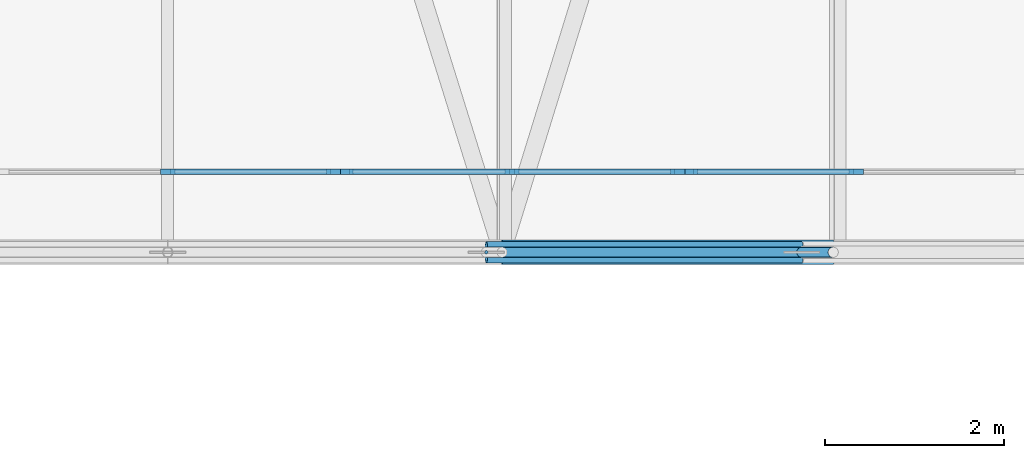
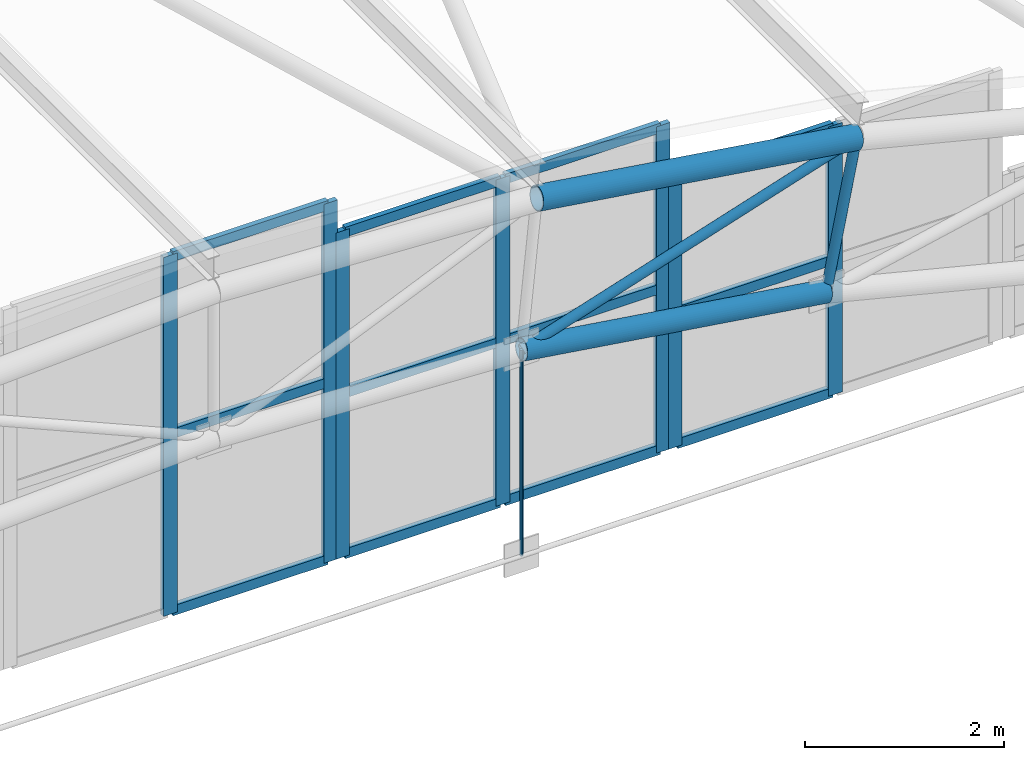
# One storey, part 146 of 321: 24 members, 3 elements without a shape of their own.
"""IFC4 building model written with IfcOpenShell, lengths in metres."""

import ifcopenshell
import ifcopenshell.guid

model = None  # the IFC model being written
_history = None  # IfcOwnerHistory: only IFC2X3 demands one
_inside = {}  # id of a spatial element -> (the spatial element, [elements in it])
_under = {}  # id of a project, library or spatial element -> (it, [spatial elements below it])
_declared = {}  # id of a project -> (the project, [libraries it declares])
_typed = {}  # id of a type object -> (the type object, [elements of that type])
_made_of = {}  # id of a material, layer set ... -> (it, [elements and type objects made of it])


def new_model(schema):
    """Start an empty IFC model of exactly this schema.

    Asked for "IFC4X3", IfcOpenShell would pick the latest addendum, in which some entities
    have other attributes; the version numbers below select the first issue.
    IFC2X3 requires an IfcOwnerHistory on every rooted entity: one is made here for all.
    """
    global model, _history
    if schema == "IFC4X3":
        model = ifcopenshell.file(schema_version=(4, 3, 0, 0))
    else:
        model = ifcopenshell.file(schema=schema)
    _inside.clear()
    _under.clear()
    _declared.clear()
    _typed.clear()
    _made_of.clear()
    _history = None
    if model.schema == "IFC2X3":
        org = make("IfcOrganization", Name="unknown")
        user = make(
            "IfcPersonAndOrganization",
            ThePerson=make("IfcPerson", FamilyName="unknown"),
            TheOrganization=org,
        )
        app = make(
            "IfcApplication",
            ApplicationDeveloper=org,
            Version="unknown",
            ApplicationFullName="unknown",
            ApplicationIdentifier="unknown",
        )
        _history = make(
            "IfcOwnerHistory",
            OwningUser=user,
            OwningApplication=app,
            ChangeAction="ADDED",
            CreationDate=0,
        )
    return model


def make(cls, **values):
    """One entity of the class cls with the attributes given. An attribute that is None is left unset."""
    return model.create_entity(
        cls, **{name: value for name, value in values.items() if value is not None}
    )


def rooted(cls, **values):
    """An entity with a GlobalId (a new one), such as an element, a storey or a relation."""
    return make(cls, GlobalId=ifcopenshell.guid.new(), OwnerHistory=_history, **values)


def si_unit(unit_type, name, prefix=None):
    """IfcSIUnit, for example si_unit("LENGTHUNIT", "METRE", prefix="MILLI")."""
    return make("IfcSIUnit", UnitType=unit_type, Prefix=prefix, Name=name)


def assignment(units):
    """IfcUnitAssignment: the units of a project."""
    return None if units is None else make("IfcUnitAssignment", Units=units)


def point(xyz):
    """IfcCartesianPoint."""
    return None if xyz is None else make("IfcCartesianPoint", Coordinates=xyz)


def direction(xyz):
    """IfcDirection."""
    return None if xyz is None else make("IfcDirection", DirectionRatios=xyz)


def frame(location, z_axis=None, x_axis=None):
    """IfcAxis2Placement3D, a coordinate frame: its origin and axes. An axis left out is left unset."""
    return make(
        "IfcAxis2Placement3D",
        Location=point(location),
        Axis=direction(z_axis),
        RefDirection=direction(x_axis),
    )


def frame_2d(location, x_axis=None):
    """IfcAxis2Placement2D, a coordinate frame in the plane: its origin and x axis."""
    return make(
        "IfcAxis2Placement2D", Location=point(location), RefDirection=direction(x_axis)
    )


def origin():
    """The frame at (0, 0, 0) with its axes left unset."""
    return frame((0.0, 0.0, 0.0))


def origin_2d():
    """The frame at (0, 0) in the plane with its x axis left unset."""
    return frame_2d((0.0, 0.0))


def place(relative_to, where):
    """IfcLocalPlacement: puts the frame where relative to a parent placement (None: the world)."""
    return make(
        "IfcLocalPlacement", PlacementRelTo=relative_to, RelativePlacement=where
    )


def context(
    kind, dimensions, precision=None, world=None, true_north=None, identifier=None
):
    """IfcGeometricRepresentationContext, for example the 3D "Model" context."""
    return make(
        "IfcGeometricRepresentationContext",
        ContextIdentifier=identifier,
        ContextType=kind,
        CoordinateSpaceDimension=dimensions,
        Precision=precision,
        WorldCoordinateSystem=world,
        TrueNorth=true_north,
    )


def subcontext(parent, identifier, kind, view, scale=None):
    """IfcGeometricRepresentationSubContext, for example "Body" below "Model"."""
    return make(
        "IfcGeometricRepresentationSubContext",
        ContextIdentifier=identifier,
        ContextType=kind,
        ParentContext=parent,
        TargetScale=scale,
        TargetView=view,
    )


def project(units=None, contexts=None):
    """IfcProject with its units and contexts."""
    return rooted(
        "IfcProject",
        Name="project",
        RepresentationContexts=contexts,
        UnitsInContext=assignment(units),
    )


def spatial(cls, under=None, at=None, **own):
    """A site, building, storey or space (cls), placed at a placement, below another one or the project."""
    s = rooted(cls, ObjectPlacement=at, **own)
    if under is not None:
        _under.setdefault(under.id(), (under, []))[1].append(s)
    return s


def profile(cls, at=None, kind="AREA", **sizes):
    """A parametric profile (cls). Its sizes go by their IFC names, for example OverallWidth=200.0."""
    return make(cls, ProfileType=kind, Position=at, **sizes)


def rectangle(**sizes):
    """IfcRectangleProfileDef."""
    return profile("IfcRectangleProfileDef", **sizes)


def circle(**sizes):
    """IfcCircleProfileDef."""
    return profile("IfcCircleProfileDef", **sizes)


def hollow_circle(**sizes):
    """IfcCircleHollowProfileDef."""
    return profile("IfcCircleHollowProfileDef", **sizes)


def extrude(swept, where, along, depth):
    """IfcExtrudedAreaSolid: the profile swept, set in the frame where, extruded along a direction by depth."""
    return make(
        "IfcExtrudedAreaSolid",
        SweptArea=swept,
        Position=where,
        ExtrudedDirection=direction(along),
        Depth=depth,
    )


def shape(context_of_items, identifier, shape_type, items):
    """IfcShapeRepresentation: the items that make up one representation, for example the "Body"."""
    return make(
        "IfcShapeRepresentation",
        ContextOfItems=context_of_items,
        RepresentationIdentifier=identifier,
        RepresentationType=shape_type,
        Items=items,
    )


def material(Name=None, Category=None):
    """IfcMaterial."""
    return make("IfcMaterial", Name=Name, Category=Category)


def layer(
    of_material, thickness, ventilated=None, Name=None, Category=None, Priority=None
):
    """IfcMaterialLayer: one layer of a wall or slab, of a material (None: an air gap)."""
    return make(
        "IfcMaterialLayer",
        Material=of_material,
        LayerThickness=thickness,
        IsVentilated=ventilated,
        Name=Name,
        Category=Category,
        Priority=Priority,
    )


def layer_set(layers, Name=None):
    """IfcMaterialLayerSet."""
    return make("IfcMaterialLayerSet", MaterialLayers=layers, LayerSetName=Name)


def material_profile(
    of_material, cross_section, Name=None, Category=None, Priority=None
):
    """IfcMaterialProfile: a cross section and its material."""
    return make(
        "IfcMaterialProfile",
        Name=Name,
        Material=of_material,
        Profile=cross_section,
        Priority=Priority,
        Category=Category,
    )


def profile_set(profiles, Name=None, composite=None):
    """IfcMaterialProfileSet."""
    return make(
        "IfcMaterialProfileSet",
        Name=Name,
        MaterialProfiles=profiles,
        CompositeProfile=composite,
    )


def made_of(thing, what):
    """Note that an element or type object is made of a material, layer set ...; save() writes the relation."""
    if what is not None:
        _made_of.setdefault(what.id(), (what, []))[1].append(thing)
    return thing


def type_object(cls, material=None, **own):
    """A type object (cls), such as IfcWallType, which elements share."""
    return made_of(rooted(cls, **own), material)


def element(
    cls,
    number,
    at=None,
    inside=None,
    cuts=None,
    type_object=None,
    material=None,
    context=None,
    identifier="Body",
    shape_type=None,
    held_by="IfcProductDefinitionShape",
    body=None,
    shapes=None,
    **own,
):
    """One element of the class cls, such as IfcWall. Its Tag is "e" and its number.

    at: its placement. inside: the storey or other place that contains it. cuts: it is an
    opening in that element (IfcRelVoidsElement). A single representation is given by context,
    identifier, shape_type and body (its items); several are given by shapes. held_by: the class
    of the entity that holds the representations. save() writes the other relations.
    """
    e = rooted(cls, Tag="e%d" % number, ObjectPlacement=at, **own)
    if body is not None:
        shapes = [shape(context, identifier, shape_type, body)]
    if shapes is not None:
        e.Representation = make(held_by, Representations=shapes)
    if inside is not None:
        _inside.setdefault(inside.id(), (inside, []))[1].append(e)
    if cuts is not None:
        rooted(
            "IfcRelVoidsElement", RelatingBuildingElement=cuts, RelatedOpeningElement=e
        )
    if type_object is not None:
        _typed.setdefault(type_object.id(), (type_object, []))[1].append(e)
    return made_of(e, material)


def aggregate(whole, parts):
    """IfcRelAggregates: a whole, such as a stair, and the parts it consists of."""
    return rooted("IfcRelAggregates", RelatingObject=whole, RelatedObjects=parts)


def save(model, path):
    """Write the relations noted so far, then the file.

    IfcRelAggregates (storeys below a building ...), IfcRelContainedInSpatialStructure (elements
    in a storey), IfcRelDefinesByType, IfcRelAssociatesMaterial and IfcRelDeclares: one each for
    every whole, place, type object, material and project.
    """
    for whole, parts in _under.values():
        aggregate(whole, parts)
    for where, things in _inside.values():
        rooted(
            "IfcRelContainedInSpatialStructure",
            RelatedElements=things,
            RelatingStructure=where,
        )
    for kind, things in _typed.values():
        rooted("IfcRelDefinesByType", RelatedObjects=things, RelatingType=kind)
    for what, things in _made_of.values():
        rooted("IfcRelAssociatesMaterial", RelatedObjects=things, RelatingMaterial=what)
    for by, libraries in _declared.values():
        rooted("IfcRelDeclares", RelatingContext=by, RelatedDefinitions=libraries)
    model.write(path)


model = new_model("IFC4")

# Units and contexts
model_context = context("Model", 3, precision=1e-05, world=origin(), true_north=direction((0.0, 1.0)))
body_context = subcontext(model_context, "Body", "Model", "MODEL_VIEW")
ifc_project = project(units=[si_unit("LENGTHUNIT", "METRE"), si_unit("AREAUNIT", "SQUARE_METRE"), si_unit("VOLUMEUNIT", "CUBIC_METRE"), si_unit("PLANEANGLEUNIT", "RADIAN"), si_unit("MASSUNIT", "GRAM", prefix="KILO")], contexts=[model_context])

# Site, building, storey
site_placement = place(None, origin())
site = spatial("IfcSite", under=ifc_project, at=site_placement, CompositionType="ELEMENT")
building_placement = place(site_placement, origin())
building = spatial("IfcBuilding", under=site, at=building_placement, Name="Ravi Spectrum Wholesale Market", CompositionType="ELEMENT")
storey_placement = place(building_placement, frame((0.0, 0.0, 10.800048828125)))
storey = spatial("IfcBuildingStorey", under=building, at=storey_placement, Name="L02", CompositionType="ELEMENT", Elevation=10.800048828125)

# Members
ifc_material_1 = material(Name="Steel S355", Category="steel")
ifc_material_profile_1 = material_profile(ifc_material_1, hollow_circle(Radius=0.05712890625, WallThickness=0.00390625, at=origin_2d()))
ifc_profile_set_1 = profile_set([ifc_material_profile_1], Name="Steel S355")
member_type_1 = type_object("IfcMemberType", Name="CHS 114.3x4 brace", PredefinedType="BRACE", material=ifc_profile_set_1)
member_1_placement = place(storey_placement, frame((187.448486328125, 138.0, 3.767822265625), z_axis=(-0.952400500519, 0.0, -0.304849613108), x_axis=(0.0, -1.0, 0.0)))
element("IfcMember", 1, at=member_1_placement, inside=storey, type_object=member_type_1, Name="H3-MB-L02-035", PredefinedType="BRACE", context=body_context, shape_type="SweptSolid", body=[
    extrude(hollow_circle(Radius=0.05712890625, WallThickness=0.00390625, at=origin_2d()), origin(), (0.0, 0.0, 1.0), 4.076416015625),
])
ifc_material_2 = material(Name="Steel S355", Category="steel")
ifc_material_profile_2 = material_profile(ifc_material_2, hollow_circle(Radius=0.05712890625, WallThickness=0.00390625, at=origin_2d()))
ifc_profile_set_2 = profile_set([ifc_material_profile_2], Name="Steel S355")
member_type_2 = type_object("IfcMemberType", Name="CHS 114.3x4 post", PredefinedType="POST", material=ifc_profile_set_2)
member_2_placement = place(storey_placement, frame((187.448486328125, 138.0, 3.767822265625), z_axis=(-0.194759682352, 0.0, -0.980850990788), x_axis=(0.0, -1.0, 0.0)))
element("IfcMember", 2, at=member_2_placement, inside=storey, type_object=member_type_2, Name="H3-MB-L02-027", PredefinedType="POST", context=body_context, shape_type="SweptSolid", body=[
    extrude(hollow_circle(Radius=0.05712890625, WallThickness=0.00390625, at=origin_2d()), origin(), (0.0, 0.0, 1.0), 1.800048828125),
])
ifc_material_3 = material(Name="Steel S355", Category="steel")
ifc_material_profile_3 = material_profile(ifc_material_3, hollow_circle(Radius=0.122314453125, WallThickness=0.008056640625, at=origin_2d()))
ifc_profile_set_3 = profile_set([ifc_material_profile_3], Name="Steel S355")
member_type_3 = type_object("IfcMemberType", Name="CHS 244.5x8 chord", PredefinedType="CHORD", material=ifc_profile_set_3)
member_3_placement = place(storey_placement, frame((183.566162109375, 138.0, 2.525146484375), z_axis=(0.989214474115, 0.0, -0.146474312426), x_axis=(0.0, 1.0, 0.0)))
element("IfcMember", 3, at=member_3_placement, inside=storey, type_object=member_type_3, Name="H3-MB-L02-017", PredefinedType="CHORD", context=body_context, shape_type="SweptSolid", body=[
    extrude(hollow_circle(Radius=0.122314453125, WallThickness=0.008056640625, at=origin_2d()), origin(), (0.0, 0.0, 1.0), 3.5703125),
])
ifc_material_4 = material(Name="Steel S355", Category="steel")
ifc_material_profile_4 = material_profile(ifc_material_4, hollow_circle(Radius=0.136474609375, WallThickness=0.010009765625, at=origin_2d()))
ifc_profile_set_4 = profile_set([ifc_material_profile_4], Name="Steel S355")
member_type_4 = type_object("IfcMemberType", Name="CHS 273x10 chord", PredefinedType="CHORD", material=ifc_profile_set_4)
member_4_placement = place(storey_placement, frame((183.7421875, 138.0, 4.31640625), z_axis=(0.989222696265, 0.0, -0.146418773368), x_axis=(0.0, 1.0, 0.0)))
element("IfcMember", 4, at=member_4_placement, inside=storey, type_object=member_type_4, Name="H3-MB-L02-007", PredefinedType="CHORD", context=body_context, shape_type="SweptSolid", body=[
    extrude(hollow_circle(Radius=0.136474609375, WallThickness=0.010009765625, at=origin_2d()), origin(), (0.0, 0.0, 1.0), 3.74658203125),
])

# Curtain wall, members
ifc_material_5 = material(Name="Aluminium 6063-T6", Category="aluminium")
ifc_layer = layer(ifc_material_5, 0.14990234375)
ifc_layer_set = layer_set([ifc_layer], Name="Aluminium 6063-T6")
curtain_wall_type = type_object("IfcCurtainWallType", Name="Curtain wall 150", PredefinedType="NOTDEFINED", material=ifc_layer_set)
curtain_wall_1_placement = place(storey_placement, origin())
curtain_wall_1 = element("IfcCurtainWall", 5, at=curtain_wall_1_placement, inside=storey, type_object=curtain_wall_type, Name="H3-CW-L02-004", PredefinedType="NOTDEFINED")
ifc_material_6 = material(Name="Aluminium 6063-T6", Category="aluminium")
ifc_material_profile_5 = material_profile(ifc_material_6, rectangle(XDim=0.06005859375, YDim=0.159912109375, at=origin_2d()))
ifc_profile_set_5 = profile_set([ifc_material_profile_5], Name="Aluminium 6063-T6")
member_type_5 = type_object("IfcMemberType", Name="Mullion 60 x 160", PredefinedType="MULLION", material=ifc_profile_set_5)
member_5_placement = place(storey_placement, frame((180.0, 138.89990234375, 0.0), z_axis=(0.0, 0.0, 1.0), x_axis=(0.0, 1.0, 0.0)))
member_5 = element("IfcMember", 6, at=member_5_placement, type_object=member_type_5, Name="H3-CW-L02-004 mullion 2", PredefinedType="MULLION", context=body_context, shape_type="SweptSolid", body=[
    extrude(rectangle(XDim=0.06005859375, YDim=0.159912109375, at=origin_2d()), origin(), (0.0, 0.0, 1.0), 4.39990234375),
])
member_6_placement = place(storey_placement, frame((181.85693359375, 138.89990234375, 0.0), z_axis=(0.0, 0.0, 1.0), x_axis=(0.0, 1.0, 0.0)))
member_6 = element("IfcMember", 7, at=member_6_placement, type_object=member_type_5, Name="H3-CW-L02-004 mullion 3", PredefinedType="MULLION", context=body_context, shape_type="SweptSolid", body=[
    extrude(rectangle(XDim=0.06005859375, YDim=0.159912109375, at=origin_2d()), origin(), (0.0, 0.0, 1.0), 4.39990234375),
])

curtain_wall_2_placement = place(storey_placement, origin())
curtain_wall_2 = element("IfcCurtainWall", 8, at=curtain_wall_2_placement, inside=storey, type_object=curtain_wall_type, Name="H3-CW-L02-005", PredefinedType="NOTDEFINED")
member_7_placement = place(storey_placement, frame((181.996826171875, 138.89990234375, 0.0), z_axis=(0.0, 0.0, 1.0), x_axis=(0.0, 1.0, 0.0)))
member_7 = element("IfcMember", 9, at=member_7_placement, type_object=member_type_5, Name="H3-CW-L02-005 mullion 1", PredefinedType="MULLION", context=body_context, shape_type="SweptSolid", body=[
    extrude(rectangle(XDim=0.06005859375, YDim=0.159912109375, at=origin_2d()), origin(), (0.0, 0.0, 1.0), 4.0),
])
member_8_placement = place(storey_placement, frame((183.853759765625, 138.89990234375, 0.0), z_axis=(0.0, 0.0, 1.0), x_axis=(0.0, 1.0, 0.0)))
member_8 = element("IfcMember", 10, at=member_8_placement, type_object=member_type_5, Name="H3-CW-L02-005 mullion 2", PredefinedType="MULLION", context=body_context, shape_type="SweptSolid", body=[
    extrude(rectangle(XDim=0.06005859375, YDim=0.159912109375, at=origin_2d()), origin(), (0.0, 0.0, 1.0), 4.0),
])
member_9_placement = place(storey_placement, frame((185.710693359375, 138.89990234375, 0.0), z_axis=(0.0, 0.0, 1.0), x_axis=(0.0, 1.0, 0.0)))
member_9 = element("IfcMember", 11, at=member_9_placement, type_object=member_type_5, Name="H3-CW-L02-005 mullion 3", PredefinedType="MULLION", context=body_context, shape_type="SweptSolid", body=[
    extrude(rectangle(XDim=0.06005859375, YDim=0.159912109375, at=origin_2d()), origin(), (0.0, 0.0, 1.0), 4.0),
])

curtain_wall_3_placement = place(storey_placement, origin())
curtain_wall_3 = element("IfcCurtainWall", 12, at=curtain_wall_3_placement, inside=storey, type_object=curtain_wall_type, Name="H3-CW-L02-006", PredefinedType="NOTDEFINED")
member_10_placement = place(storey_placement, frame((185.850830078125, 138.89990234375, 0.0), z_axis=(0.0, 0.0, 1.0), x_axis=(0.0, 1.0, 0.0)))
member_10 = element("IfcMember", 13, at=member_10_placement, type_object=member_type_5, Name="H3-CW-L02-006 mullion 1", PredefinedType="MULLION", context=body_context, shape_type="SweptSolid", body=[
    extrude(rectangle(XDim=0.06005859375, YDim=0.159912109375, at=origin_2d()), origin(), (0.0, 0.0, 1.0), 3.300048828125),
])
member_11_placement = place(storey_placement, frame((187.707763671875, 138.89990234375, 0.0), z_axis=(0.0, 0.0, 1.0), x_axis=(0.0, 1.0, 0.0)))
member_11 = element("IfcMember", 14, at=member_11_placement, type_object=member_type_5, Name="H3-CW-L02-006 mullion 2", PredefinedType="MULLION", context=body_context, shape_type="SweptSolid", body=[
    extrude(rectangle(XDim=0.06005859375, YDim=0.159912109375, at=origin_2d()), origin(), (0.0, 0.0, 1.0), 3.300048828125),
])

# Member
ifc_material_7 = material(Name="Steel S355", Category="steel")
ifc_material_profile_6 = material_profile(ifc_material_7, circle(Radius=0.01806640625, at=origin_2d()))
ifc_profile_set_6 = profile_set([ifc_material_profile_6], Name="Steel S355")
member_type_6 = type_object("IfcMemberType", Name="ROD 36 hanger", PredefinedType="STRUT", material=ifc_profile_set_6)
member_12_placement = place(storey_placement, frame((183.566162109375, 138.0, 0.0), z_axis=(0.0, 0.0, 1.0), x_axis=(1.0, 0.0, 0.0)))
element("IfcMember", 15, at=member_12_placement, inside=storey, type_object=member_type_6, Name="H3-MB-L02-040", PredefinedType="STRUT", context=body_context, shape_type="SweptSolid", body=[
    extrude(circle(Radius=0.01806640625, at=origin_2d()), origin(), (0.0, 0.0, 1.0), 2.525146484375),
])

ifc_material_8 = material(Name="Aluminium 6063-T6", Category="aluminium")
ifc_material_profile_7 = material_profile(ifc_material_8, rectangle(XDim=0.06005859375, YDim=0.1201171875, at=origin_2d()))
ifc_profile_set_7 = profile_set([ifc_material_profile_7], Name="Aluminium 6063-T6")
member_type_7 = type_object("IfcMemberType", Name="Transom 60 x 120", PredefinedType="USERDEFINED", material=ifc_profile_set_7)
member_13_placement = place(storey_placement, frame((180.030029296875, 138.89990234375, 0.030029296875), z_axis=(1.0, 0.0, 0.0), x_axis=(0.0, 1.0, 0.0)))
member_13 = element("IfcMember", 16, at=member_13_placement, type_object=member_type_7, Name="H3-CW-L02-004 transom 2.1", ObjectType="TRANSOM", PredefinedType="USERDEFINED", context=body_context, shape_type="SweptSolid", body=[
    extrude(rectangle(XDim=0.06005859375, YDim=0.1201171875, at=origin_2d()), origin(), (0.0, 0.0, 1.0), 1.796875),
])

member_14_placement = place(storey_placement, frame((180.030029296875, 138.89990234375, 2.199951171875), z_axis=(1.0, 0.0, 0.0), x_axis=(0.0, 1.0, 0.0)))
member_14 = element("IfcMember", 17, at=member_14_placement, type_object=member_type_7, Name="H3-CW-L02-004 transom 2.2", ObjectType="TRANSOM", PredefinedType="USERDEFINED", context=body_context, shape_type="SweptSolid", body=[
    extrude(rectangle(XDim=0.06005859375, YDim=0.1201171875, at=origin_2d()), origin(), (0.0, 0.0, 1.0), 1.796875),
])

member_15_placement = place(storey_placement, frame((180.030029296875, 138.89990234375, 4.369873046875), z_axis=(1.0, 0.0, 0.0), x_axis=(0.0, 1.0, 0.0)))
member_15 = element("IfcMember", 18, at=member_15_placement, type_object=member_type_7, Name="H3-CW-L02-004 transom 2.3", ObjectType="TRANSOM", PredefinedType="USERDEFINED", context=body_context, shape_type="SweptSolid", body=[
    extrude(rectangle(XDim=0.06005859375, YDim=0.1201171875, at=origin_2d()), origin(), (0.0, 0.0, 1.0), 1.796875),
])

aggregate(curtain_wall_1, [member_5, member_6, member_13, member_14, member_15])

member_16_placement = place(storey_placement, frame((182.02685546875, 138.89990234375, 0.030029296875), z_axis=(1.0, 0.0, 0.0), x_axis=(0.0, 1.0, 0.0)))
member_16 = element("IfcMember", 19, at=member_16_placement, type_object=member_type_7, Name="H3-CW-L02-005 transom 1.1", ObjectType="TRANSOM", PredefinedType="USERDEFINED", context=body_context, shape_type="SweptSolid", body=[
    extrude(rectangle(XDim=0.06005859375, YDim=0.1201171875, at=origin_2d()), origin(), (0.0, 0.0, 1.0), 1.796875),
])

member_17_placement = place(storey_placement, frame((182.02685546875, 138.89990234375, 2.0), z_axis=(1.0, 0.0, 0.0), x_axis=(0.0, 1.0, 0.0)))
member_17 = element("IfcMember", 20, at=member_17_placement, type_object=member_type_7, Name="H3-CW-L02-005 transom 1.2", ObjectType="TRANSOM", PredefinedType="USERDEFINED", context=body_context, shape_type="SweptSolid", body=[
    extrude(rectangle(XDim=0.06005859375, YDim=0.1201171875, at=origin_2d()), origin(), (0.0, 0.0, 1.0), 1.796875),
])

member_18_placement = place(storey_placement, frame((182.02685546875, 138.89990234375, 3.969970703125), z_axis=(1.0, 0.0, 0.0), x_axis=(0.0, 1.0, 0.0)))
member_18 = element("IfcMember", 21, at=member_18_placement, type_object=member_type_7, Name="H3-CW-L02-005 transom 1.3", ObjectType="TRANSOM", PredefinedType="USERDEFINED", context=body_context, shape_type="SweptSolid", body=[
    extrude(rectangle(XDim=0.06005859375, YDim=0.1201171875, at=origin_2d()), origin(), (0.0, 0.0, 1.0), 1.796875),
])

member_19_placement = place(storey_placement, frame((183.8837890625, 138.89990234375, 0.030029296875), z_axis=(1.0, 0.0, 0.0), x_axis=(0.0, 1.0, 0.0)))
member_19 = element("IfcMember", 22, at=member_19_placement, type_object=member_type_7, Name="H3-CW-L02-005 transom 2.1", ObjectType="TRANSOM", PredefinedType="USERDEFINED", context=body_context, shape_type="SweptSolid", body=[
    extrude(rectangle(XDim=0.06005859375, YDim=0.1201171875, at=origin_2d()), origin(), (0.0, 0.0, 1.0), 1.796875),
])

member_20_placement = place(storey_placement, frame((183.8837890625, 138.89990234375, 2.0), z_axis=(1.0, 0.0, 0.0), x_axis=(0.0, 1.0, 0.0)))
member_20 = element("IfcMember", 23, at=member_20_placement, type_object=member_type_7, Name="H3-CW-L02-005 transom 2.2", ObjectType="TRANSOM", PredefinedType="USERDEFINED", context=body_context, shape_type="SweptSolid", body=[
    extrude(rectangle(XDim=0.06005859375, YDim=0.1201171875, at=origin_2d()), origin(), (0.0, 0.0, 1.0), 1.796875),
])

member_21_placement = place(storey_placement, frame((183.8837890625, 138.89990234375, 3.969970703125), z_axis=(1.0, 0.0, 0.0), x_axis=(0.0, 1.0, 0.0)))
member_21 = element("IfcMember", 24, at=member_21_placement, type_object=member_type_7, Name="H3-CW-L02-005 transom 2.3", ObjectType="TRANSOM", PredefinedType="USERDEFINED", context=body_context, shape_type="SweptSolid", body=[
    extrude(rectangle(XDim=0.06005859375, YDim=0.1201171875, at=origin_2d()), origin(), (0.0, 0.0, 1.0), 1.796875),
])

aggregate(curtain_wall_2, [member_7, member_8, member_9, member_16, member_17, member_18, member_19, member_20, member_21])

member_22_placement = place(storey_placement, frame((185.880615234375, 138.89990234375, 0.030029296875), z_axis=(1.0, 0.0, 0.0), x_axis=(0.0, 1.0, 0.0)))
member_22 = element("IfcMember", 25, at=member_22_placement, type_object=member_type_7, Name="H3-CW-L02-006 transom 1.1", ObjectType="TRANSOM", PredefinedType="USERDEFINED", context=body_context, shape_type="SweptSolid", body=[
    extrude(rectangle(XDim=0.06005859375, YDim=0.1201171875, at=origin_2d()), origin(), (0.0, 0.0, 1.0), 1.797119140625),
])

member_23_placement = place(storey_placement, frame((185.880615234375, 138.89990234375, 1.64990234375), z_axis=(1.0, 0.0, 0.0), x_axis=(0.0, 1.0, 0.0)))
member_23 = element("IfcMember", 26, at=member_23_placement, type_object=member_type_7, Name="H3-CW-L02-006 transom 1.2", ObjectType="TRANSOM", PredefinedType="USERDEFINED", context=body_context, shape_type="SweptSolid", body=[
    extrude(rectangle(XDim=0.06005859375, YDim=0.1201171875, at=origin_2d()), origin(), (0.0, 0.0, 1.0), 1.797119140625),
])

member_24_placement = place(storey_placement, frame((185.880615234375, 138.89990234375, 3.27001953125), z_axis=(1.0, 0.0, 0.0), x_axis=(0.0, 1.0, 0.0)))
member_24 = element("IfcMember", 27, at=member_24_placement, type_object=member_type_7, Name="H3-CW-L02-006 transom 1.3", ObjectType="TRANSOM", PredefinedType="USERDEFINED", context=body_context, shape_type="SweptSolid", body=[
    extrude(rectangle(XDim=0.06005859375, YDim=0.1201171875, at=origin_2d()), origin(), (0.0, 0.0, 1.0), 1.797119140625),
])

aggregate(curtain_wall_3, [member_10, member_11, member_22, member_23, member_24])

save(model, "model.ifc")
